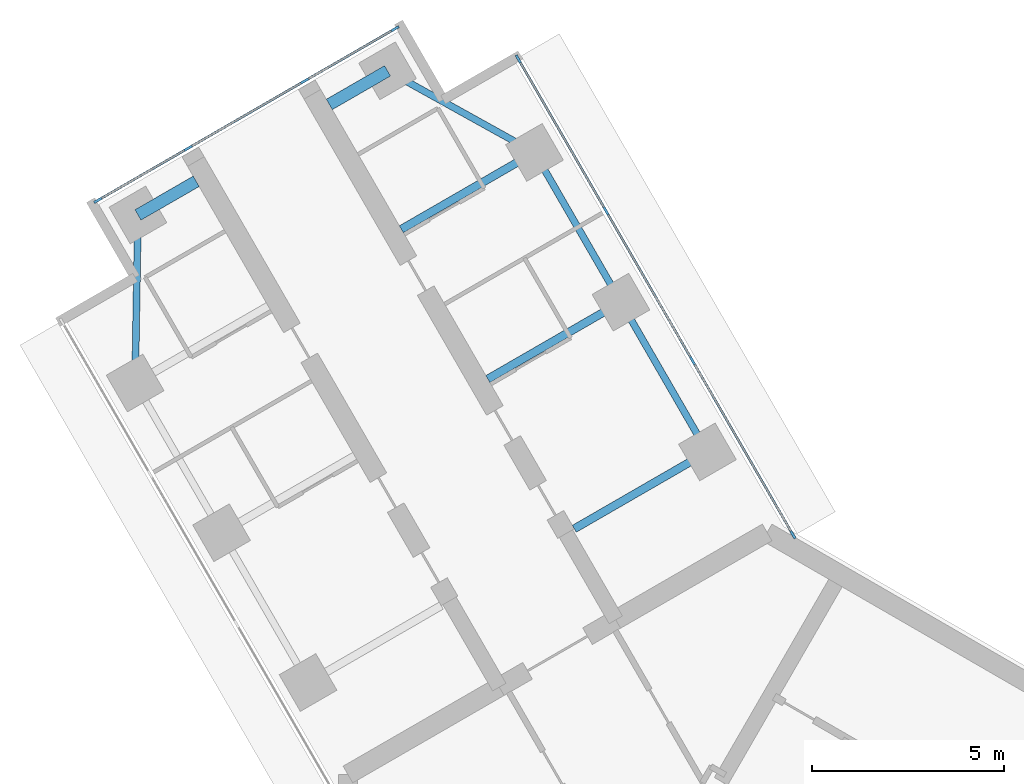
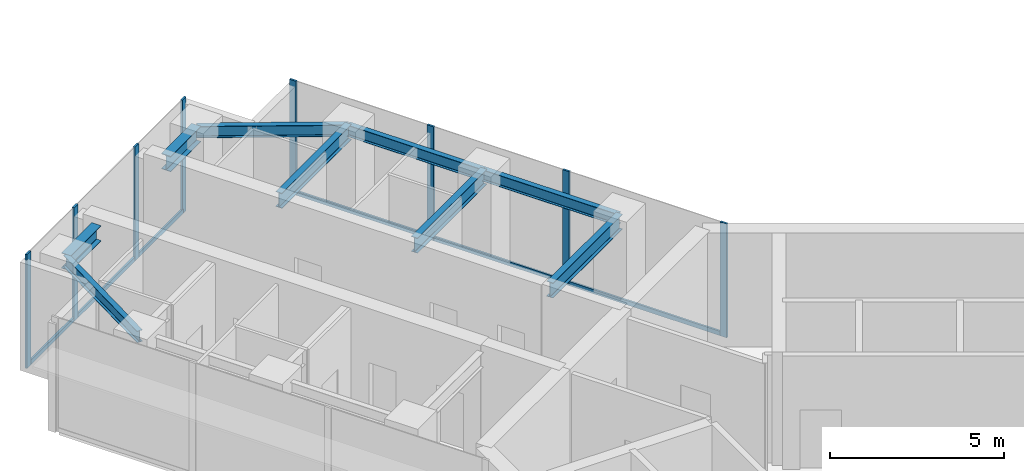
# One storey, part 6 of 18: 14 members, 9 beams, 2 elements without a shape of their own.
"""IFC4 building model written with IfcOpenShell, lengths in metres."""

from ifc_helpers import new_model, si_unit, direction, frame, origin, origin_2d, place, context, subcontext, project, spatial, rectangle, i_section, extrude, material, material_profile, profile_set, type_object, element, aggregate, save


model = new_model("IFC4")

# Units and contexts
model_context = context("Model", 3, precision=1e-05, world=origin(), true_north=direction((0.0, 1.0)))
body_context = subcontext(model_context, "Body", "Model", "MODEL_VIEW")
ifc_project = project(units=[si_unit("LENGTHUNIT", "METRE"), si_unit("AREAUNIT", "SQUARE_METRE"), si_unit("VOLUMEUNIT", "CUBIC_METRE"), si_unit("PLANEANGLEUNIT", "RADIAN"), si_unit("MASSUNIT", "GRAM", prefix="KILO")], contexts=[model_context])

# Site, building, storey
site_placement = place(None, origin())
site = spatial("IfcSite", under=ifc_project, at=site_placement, CompositionType="ELEMENT")
building_placement = place(site_placement, origin())
building = spatial("IfcBuilding", under=site, at=building_placement, Name="Upepo Twin Towers", CompositionType="ELEMENT")
storey_placement = place(building_placement, frame((0.0, 0.0, 222.5)))
storey = spatial("IfcBuildingStorey", under=building, at=storey_placement, Name="L54", CompositionType="ELEMENT", Elevation=222.5)

# Beams
ifc_material_1 = material(Name="Steel S355", Category="steel")
ifc_material_profile_1 = material_profile(ifc_material_1, i_section(OverallWidth=0.177978515625, OverallDepth=0.406494140625, WebThickness=0.0078125, FlangeThickness=0.0126953125, FilletRadius=0.01025390625, at=origin_2d()), Name="UB 406x178x60")
ifc_profile_set_1 = profile_set([ifc_material_profile_1], Name="Steel S355")
beam_type_1 = type_object("IfcBeamType", Name="Beam UB 406x178x60", PredefinedType="BEAM", material=ifc_profile_set_1)
beam_1_placement = place(storey_placement, frame((-16.446044921875, 16.485595703125, 3.5966796875), z_axis=(0.016803880528, 0.999858804832, 0.0), x_axis=(-0.999858804832, 0.016803880528, 0.0)))
element("IfcBeam", 1, at=beam_1_placement, inside=storey, type_object=beam_type_1, Name="T1 nose edge beam BL", PredefinedType="BEAM", context=body_context, shape_type="SweptSolid", body=[
    extrude(i_section(OverallWidth=0.177978515625, OverallDepth=0.406494140625, WebThickness=0.0078125, FlangeThickness=0.0126953125, FilletRadius=0.01025390625, at=origin_2d()), origin(), (0.0, 0.0, 1.0), 4.373291015625),
])
beam_2_placement = place(storey_placement, frame((-1.553955078125, 14.69140625, 3.5966796875), z_axis=(-0.500013631625, 0.866017533419, 0.0), x_axis=(-0.866017533419, -0.500013631625, 0.0)))
element("IfcBeam", 2, at=beam_2_placement, inside=storey, type_object=beam_type_1, Name="T1 edge beam BR 13.5-18.0", PredefinedType="BEAM", context=body_context, shape_type="SweptSolid", body=[
    extrude(i_section(OverallWidth=0.177978515625, OverallDepth=0.406494140625, WebThickness=0.0078125, FlangeThickness=0.0126953125, FilletRadius=0.01025390625, at=origin_2d()), origin(), (0.0, 0.0, 1.0), 4.499755859375),
])
beam_3_placement = place(storey_placement, frame((-3.803955078125, 18.58837890625, 3.5966796875), z_axis=(-0.499990139034, 0.866031096941, 0.0), x_axis=(-0.866031096941, -0.499990139034, 0.0)))
element("IfcBeam", 3, at=beam_3_placement, inside=storey, type_object=beam_type_1, Name="T1 edge beam BR 18.0-22.5", PredefinedType="BEAM", context=body_context, shape_type="SweptSolid", body=[
    extrude(i_section(OverallWidth=0.177978515625, OverallDepth=0.406494140625, WebThickness=0.0078125, FlangeThickness=0.0126953125, FilletRadius=0.01025390625, at=origin_2d()), origin(), (0.0, 0.0, 1.0), 4.5),
])
beam_4_placement = place(storey_placement, frame((-6.053955078125, 22.485595703125, 3.5966796875), z_axis=(-0.874312600038, 0.485363242752, 0.0), x_axis=(-0.485363242752, -0.874312600038, 0.0)))
element("IfcBeam", 4, at=beam_4_placement, inside=storey, type_object=beam_type_1, Name="T1 nose edge beam BR", PredefinedType="BEAM", context=body_context, shape_type="SweptSolid", body=[
    extrude(i_section(OverallWidth=0.177978515625, OverallDepth=0.406494140625, WebThickness=0.0078125, FlangeThickness=0.0126953125, FilletRadius=0.01025390625, at=origin_2d()), origin(), (0.0, 0.0, 1.0), 4.373046875),
])
ifc_material_2 = material(Name="Steel S355", Category="steel")
ifc_material_profile_2 = material_profile(ifc_material_2, i_section(OverallWidth=0.209228515625, OverallDepth=0.533203125, WebThickness=0.010009765625, FlangeThickness=0.015625, FilletRadius=0.0126953125, at=origin_2d()), Name="UB 533x210x92")
ifc_profile_set_2 = profile_set([ifc_material_profile_2], Name="Steel S355")
beam_type_2 = type_object("IfcBeamType", Name="Beam UB 533x210x92", PredefinedType="BEAM", material=ifc_profile_set_2)
for number, where, z_axis, x_axis, name in (
    (5, (-1.553955078125, 14.69140625, 3.533447265625), (-0.866026010844, -0.49999894854, 0.0), (0.49999894854, -0.866026010844, 0.0), "T1 girder BR at 13.5"),
    (6, (-3.803955078125, 18.58837890625, 3.533447265625), (-0.866026010844, -0.49999894854, 0.0), (0.49999894854, -0.866026010844, 0.0), "T1 girder BR at 18.0"),
    (7, (-6.053955078125, 22.485595703125, 3.533447265625), (-0.866026010844, -0.49999894854, 0.0), (0.49999894854, -0.866026010844, 0.0), "T1 girder BR at 22.5"),
):
    element("IfcBeam", number, at=place(storey_placement, frame(where, z_axis=z_axis, x_axis=x_axis)), inside=storey, type_object=beam_type_2, Name=name, PredefinedType="BEAM", context=body_context, shape_type="SweptSolid", body=[
        extrude(i_section(OverallWidth=0.209228515625, OverallDepth=0.533203125, WebThickness=0.010009765625, FlangeThickness=0.015625, FilletRadius=0.0126953125, at=origin_2d()), origin(), (0.0, 0.0, 1.0), 4.0),
    ])
ifc_material_3 = material(Name="Steel S355", Category="steel")
ifc_material_profile_3 = material_profile(ifc_material_3, i_section(OverallWidth=0.31201171875, OverallDepth=0.54345703125, WebThickness=0.0126953125, FlangeThickness=0.020263671875, FilletRadius=0.0126953125, at=origin_2d()), Name="UB 533x312x150")
ifc_profile_set_3 = profile_set([ifc_material_profile_3], Name="Steel S355")
beam_type_3 = type_object("IfcBeamType", Name="Beam UB 533x312x150", PredefinedType="BEAM", material=ifc_profile_set_3)
for number, where, z_axis, x_axis, name in (
    (8, (-16.37255859375, 20.858154296875, 3.5283203125), (0.866036909293, 0.499980071345, 0.0), (-0.499980071345, 0.866036909293, 0.0), "T1 nose beam BL"),
    (9, (-9.87744140625, 24.608154296875, 3.5283203125), (-0.866036909293, -0.499980071345, 0.0), (0.499980071345, -0.866036909293, 0.0), "T1 nose beam BR"),
):
    element("IfcBeam", number, at=place(storey_placement, frame(where, z_axis=z_axis, x_axis=x_axis)), inside=storey, type_object=beam_type_3, Name=name, PredefinedType="BEAM", context=body_context, shape_type="SweptSolid", body=[
        extrude(i_section(OverallWidth=0.31201171875, OverallDepth=0.54345703125, WebThickness=0.0126953125, FlangeThickness=0.020263671875, FilletRadius=0.0126953125, at=origin_2d()), origin(), (0.0, 0.0, 1.0), 1.75),
    ])

# Curtain wall, members
ifc_material_4 = material(Name="Aluminium and fritted glass", Category="aluminium")
curtain_wall_type = type_object("IfcCurtainWallType", Name="Tower curtain wall TW3, fritted glass", PredefinedType="NOTDEFINED", material=ifc_material_4)
curtain_wall_1_placement = place(storey_placement, origin())
curtain_wall_1 = element("IfcCurtainWall", 10, at=curtain_wall_1_placement, inside=storey, type_object=curtain_wall_type, Name="T1 L54 wing B flank R curtain wall", PredefinedType="NOTDEFINED")
ifc_material_5 = material(Name="Aluminium mullion", Category="aluminium")
ifc_material_profile_4 = material_profile(ifc_material_5, rectangle(XDim=0.06494140625, YDim=0.22509765625, at=origin_2d()), Name="MULLION 65x225")
ifc_profile_set_4 = profile_set([ifc_material_profile_4], Name="Aluminium mullion")
member_type_1 = type_object("IfcMemberType", Name="Mullion 65x225 TW3", PredefinedType="MULLION", material=ifc_profile_set_4)
member_1_placement = place(storey_placement, frame((-6.4765625, 24.91748046875, 0.0), z_axis=(0.0, 0.0, 1.0), x_axis=(0.866025388469, 0.500000026527, 0.0)))
member_1 = element("IfcMember", 11, at=member_1_placement, type_object=member_type_1, Name="T1 L54 wing B flank R curtain wall mullion 1", PredefinedType="MULLION", context=body_context, shape_type="SweptSolid", body=[
    extrude(rectangle(XDim=0.06494140625, YDim=0.22509765625, at=origin_2d()), origin(), (0.0, 0.0, 1.0), 4.0),
])
member_2_placement = place(storey_placement, frame((-4.192626953125, 20.9619140625, 0.0), z_axis=(0.0, 0.0, 1.0), x_axis=(0.866025388469, 0.500000026527, 0.0)))
member_2 = element("IfcMember", 12, at=member_2_placement, type_object=member_type_1, Name="T1 L54 wing B flank R curtain wall mullion 2", PredefinedType="MULLION", context=body_context, shape_type="SweptSolid", body=[
    extrude(rectangle(XDim=0.06494140625, YDim=0.22509765625, at=origin_2d()), origin(), (0.0, 0.0, 1.0), 4.0),
])
member_3_placement = place(storey_placement, frame((-1.942626953125, 17.06494140625, 0.0), z_axis=(0.0, 0.0, 1.0), x_axis=(0.866025388469, 0.500000026527, 0.0)))
member_3 = element("IfcMember", 13, at=member_3_placement, type_object=member_type_1, Name="T1 L54 wing B flank R curtain wall mullion 3", PredefinedType="MULLION", context=body_context, shape_type="SweptSolid", body=[
    extrude(rectangle(XDim=0.06494140625, YDim=0.22509765625, at=origin_2d()), origin(), (0.0, 0.0, 1.0), 4.0),
])
member_4_placement = place(storey_placement, frame((0.67236328125, 12.53515625, 0.0), z_axis=(0.0, 0.0, 1.0), x_axis=(0.866025388469, 0.500000026527, 0.0)))
member_4 = element("IfcMember", 14, at=member_4_placement, type_object=member_type_1, Name="T1 L54 wing B flank R curtain wall mullion 4", PredefinedType="MULLION", context=body_context, shape_type="SweptSolid", body=[
    extrude(rectangle(XDim=0.06494140625, YDim=0.22509765625, at=origin_2d()), origin(), (0.0, 0.0, 1.0), 4.0),
])

curtain_wall_2_placement = place(storey_placement, origin())
curtain_wall_2 = element("IfcCurtainWall", 15, at=curtain_wall_2_placement, inside=storey, type_object=curtain_wall_type, Name="T1 L54 wing B nose curtain wall", PredefinedType="NOTDEFINED")
member_5_placement = place(storey_placement, frame((-9.68115234375, 25.703125, 0.0), z_axis=(0.0, 0.0, 1.0), x_axis=(0.500000030502, -0.866025386174, 0.0)))
member_5 = element("IfcMember", 16, at=member_5_placement, type_object=member_type_1, Name="T1 L54 wing B nose curtain wall mullion 1", PredefinedType="MULLION", context=body_context, shape_type="SweptSolid", body=[
    extrude(rectangle(XDim=0.06494140625, YDim=0.22509765625, at=origin_2d()), origin(), (0.0, 0.0, 1.0), 4.0),
])
member_6_placement = place(storey_placement, frame((-12.034423828125, 24.34423828125, 0.0), z_axis=(0.0, 0.0, 1.0), x_axis=(0.500000030502, -0.866025386174, 0.0)))
member_6 = element("IfcMember", 17, at=member_6_placement, type_object=member_type_1, Name="T1 L54 wing B nose curtain wall mullion 2", PredefinedType="MULLION", context=body_context, shape_type="SweptSolid", body=[
    extrude(rectangle(XDim=0.06494140625, YDim=0.22509765625, at=origin_2d()), origin(), (0.0, 0.0, 1.0), 4.0),
])
member_7_placement = place(storey_placement, frame((-15.0654296875, 22.59423828125, 0.0), z_axis=(0.0, 0.0, 1.0), x_axis=(0.500000030502, -0.866025386174, 0.0)))
member_7 = element("IfcMember", 18, at=member_7_placement, type_object=member_type_1, Name="T1 L54 wing B nose curtain wall mullion 3", PredefinedType="MULLION", context=body_context, shape_type="SweptSolid", body=[
    extrude(rectangle(XDim=0.06494140625, YDim=0.22509765625, at=origin_2d()), origin(), (0.0, 0.0, 1.0), 4.0),
])
member_8_placement = place(storey_placement, frame((-17.4189453125, 21.235595703125, 0.0), z_axis=(0.0, 0.0, 1.0), x_axis=(0.500000030502, -0.866025386174, 0.0)))
member_8 = element("IfcMember", 19, at=member_8_placement, type_object=member_type_1, Name="T1 L54 wing B nose curtain wall mullion 4", PredefinedType="MULLION", context=body_context, shape_type="SweptSolid", body=[
    extrude(rectangle(XDim=0.06494140625, YDim=0.22509765625, at=origin_2d()), origin(), (0.0, 0.0, 1.0), 4.0),
])

# Member
ifc_material_6 = material(Name="Aluminium transom", Category="aluminium")
ifc_material_profile_5 = material_profile(ifc_material_6, rectangle(XDim=0.06494140625, YDim=0.14990234375, at=origin_2d()), Name="TRANSOM 65x150")
ifc_profile_set_5 = profile_set([ifc_material_profile_5], Name="Aluminium transom")
member_type_2 = type_object("IfcMemberType", Name="Transom 65x150 TW3", PredefinedType="USERDEFINED", material=ifc_profile_set_5)
member_9_placement = place(storey_placement, frame((-6.460205078125, 24.889404296875, 0.074951171875), z_axis=(0.500005646842, -0.866022143554, 0.0), x_axis=(0.866022143554, 0.500005646842, 0.0)))
member_9 = element("IfcMember", 20, at=member_9_placement, type_object=member_type_2, Name="T1 L54 wing B flank R curtain wall transom 1", ObjectType="TRANSOM", PredefinedType="USERDEFINED", context=body_context, shape_type="SweptSolid", body=[
    extrude(rectangle(XDim=0.06494140625, YDim=0.14990234375, at=origin_2d()), origin(), (0.0, 0.0, 1.0), 4.50244140625),
])

member_10_placement = place(storey_placement, frame((-4.176513671875, 20.933837890625, 0.074951171875), z_axis=(0.500005184116, -0.866022410713, 0.0), x_axis=(0.866022410713, 0.500005184116, 0.0)))
member_10 = element("IfcMember", 21, at=member_10_placement, type_object=member_type_2, Name="T1 L54 wing B flank R curtain wall transom 2", ObjectType="TRANSOM", PredefinedType="USERDEFINED", context=body_context, shape_type="SweptSolid", body=[
    extrude(rectangle(XDim=0.06494140625, YDim=0.14990234375, at=origin_2d()), origin(), (0.0, 0.0, 1.0), 4.43505859375),
])

member_11_placement = place(storey_placement, frame((-1.926513671875, 17.036865234375, 0.074951171875), z_axis=(0.500007480159, -0.86602108507, 0.0), x_axis=(0.86602108507, 0.500007480159, 0.0)))
member_11 = element("IfcMember", 22, at=member_11_placement, type_object=member_type_2, Name="T1 L54 wing B flank R curtain wall transom 3", ObjectType="TRANSOM", PredefinedType="USERDEFINED", context=body_context, shape_type="SweptSolid", body=[
    extrude(rectangle(XDim=0.06494140625, YDim=0.14990234375, at=origin_2d()), origin(), (0.0, 0.0, 1.0), 5.16552734375),
])

aggregate(curtain_wall_1, [member_1, member_2, member_3, member_4, member_9, member_10, member_11])

member_12_placement = place(storey_placement, frame((-9.709228515625, 25.686767578125, 0.074951171875), z_axis=(-0.866036909293, -0.499980071345, 0.0), x_axis=(0.499980071345, -0.866036909293, 0.0)))
member_12 = element("IfcMember", 23, at=member_12_placement, type_object=member_type_2, Name="T1 L54 wing B nose curtain wall transom 1", ObjectType="TRANSOM", PredefinedType="USERDEFINED", context=body_context, shape_type="SweptSolid", body=[
    extrude(rectangle(XDim=0.06494140625, YDim=0.14990234375, at=origin_2d()), origin(), (0.0, 0.0, 1.0), 2.65234375),
])

member_13_placement = place(storey_placement, frame((-12.0625, 24.328125, 0.074951171875), z_axis=(-0.866025804792, -0.499999305434, 0.0), x_axis=(0.499999305434, -0.866025804792, 0.0)))
member_13 = element("IfcMember", 24, at=member_13_placement, type_object=member_type_2, Name="T1 L54 wing B nose curtain wall transom 2", ObjectType="TRANSOM", PredefinedType="USERDEFINED", context=body_context, shape_type="SweptSolid", body=[
    extrude(rectangle(XDim=0.06494140625, YDim=0.14990234375, at=origin_2d()), origin(), (0.0, 0.0, 1.0), 3.43505859375),
])

member_14_placement = place(storey_placement, frame((-15.09375, 22.578125, 0.074951171875), z_axis=(-0.865997053448, -0.500049101008, 0.0), x_axis=(0.500049101008, -0.865997053448, 0.0)))
member_14 = element("IfcMember", 25, at=member_14_placement, type_object=member_type_2, Name="T1 L54 wing B nose curtain wall transom 3", ObjectType="TRANSOM", PredefinedType="USERDEFINED", context=body_context, shape_type="SweptSolid", body=[
    extrude(rectangle(XDim=0.06494140625, YDim=0.14990234375, at=origin_2d()), origin(), (0.0, 0.0, 1.0), 2.652587890625),
])

aggregate(curtain_wall_2, [member_5, member_6, member_7, member_8, member_12, member_13, member_14])

save(model, "model.ifc")
